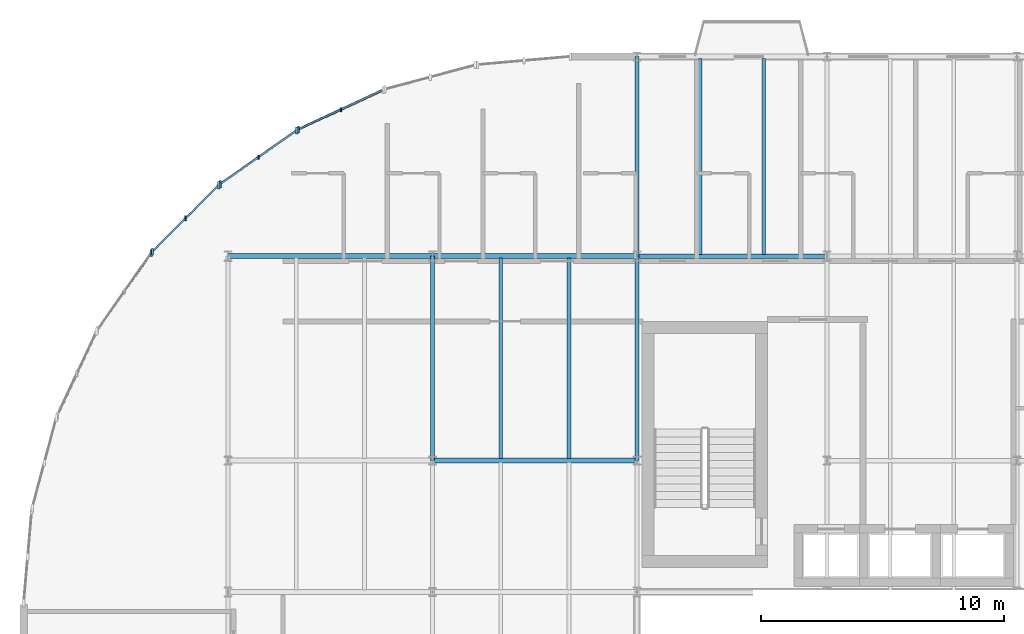
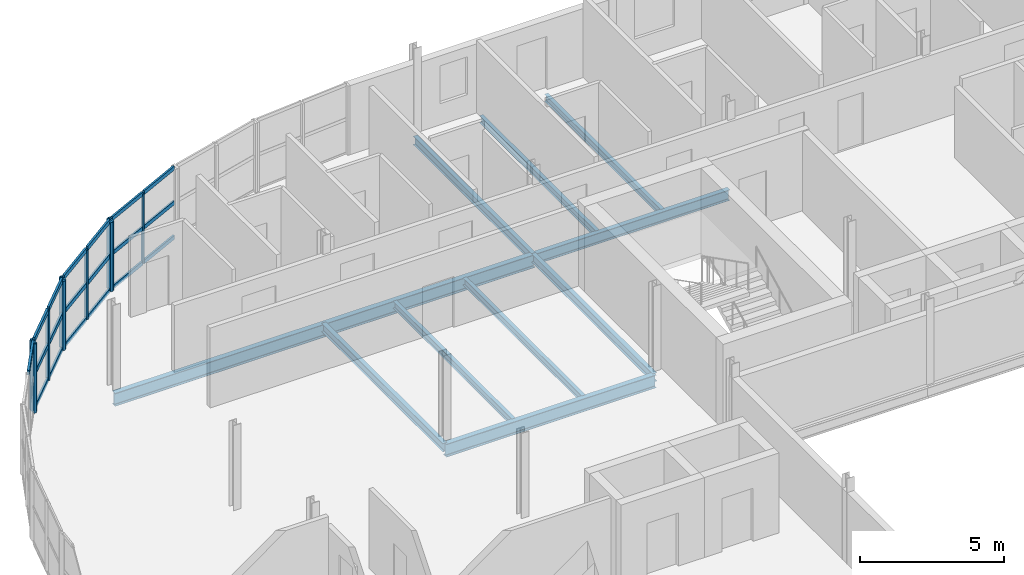
# One storey, part 7 of 25: 28 members, 11 beams, 4 elements without a shape of their own.
"""IFC4 building model written with IfcOpenShell, lengths in metres."""

from ifc_helpers import new_model, si_unit, direction, frame, origin, origin_2d, place, context, subcontext, project, spatial, rectangle, i_section, extrude, material, layer, layer_set, material_profile, profile_set, type_object, element, aggregate, save


model = new_model("IFC4")

# Units and contexts
model_context = context("Model", 3, precision=1e-05, world=origin(), true_north=direction((0.0, 1.0)))
body_context = subcontext(model_context, "Body", "Model", "MODEL_VIEW")
ifc_project = project(units=[si_unit("LENGTHUNIT", "METRE"), si_unit("AREAUNIT", "SQUARE_METRE"), si_unit("VOLUMEUNIT", "CUBIC_METRE"), si_unit("PLANEANGLEUNIT", "RADIAN"), si_unit("MASSUNIT", "GRAM", prefix="KILO")], contexts=[model_context])

# Site, building, storey
site_placement = place(None, origin())
site = spatial("IfcSite", under=ifc_project, at=site_placement, CompositionType="ELEMENT")
building_placement = place(site_placement, origin())
building = spatial("IfcBuilding", under=site, at=building_placement, Name="Sefraquen Railside Congress Hotel", CompositionType="ELEMENT")
storey_placement = place(building_placement, frame((0.0, 0.0, 39.0)))
storey = spatial("IfcBuildingStorey", under=building, at=storey_placement, Name="L09", CompositionType="ELEMENT", Elevation=39.0)

# Beams
ifc_material_1 = material(Name="Steel S355JR", Category="steel")
ifc_material_profile_1 = material_profile(ifc_material_1, i_section(OverallWidth=0.169921875, OverallDepth=0.360107421875, WebThickness=0.008056640625, FlangeThickness=0.0126953125, FilletRadius=0.01806640625, at=origin_2d()), Name="IPE 360")
ifc_profile_set_1 = profile_set([ifc_material_profile_1], Name="Steel S355JR")
beam_type_1 = type_object("IfcBeamType", Name="TB-BM-360", PredefinedType="BEAM", material=ifc_profile_set_1)
for number, where, z_axis, x_axis, name in (
    (1, (16.800048828125, 101.39990234375, -0.39990234375), (0.0, 1.0, 0.0), (-1.0, 0.0, 0.0), "Floor beam BM-L09-2014"),
    (2, (25.199951171875, 101.39990234375, -0.39990234375), (0.0, 1.0, 0.0), (-1.0, 0.0, 0.0), "Floor beam BM-L09-2020"),
):
    element("IfcBeam", number, at=place(storey_placement, frame(where, z_axis=z_axis, x_axis=x_axis)), inside=storey, type_object=beam_type_1, Name=name, PredefinedType="BEAM", context=body_context, shape_type="SweptSolid", body=[
        extrude(i_section(OverallWidth=0.169921875, OverallDepth=0.360107421875, WebThickness=0.008056640625, FlangeThickness=0.0126953125, FilletRadius=0.01806640625, at=origin_2d()), origin(), (0.0, 0.0, 1.0), 8.400146484375),
    ])
beam_1_placement = place(storey_placement, frame((25.199951171875, 109.800048828125, -0.39990234375), z_axis=(0.0, 1.0, 0.0), x_axis=(-1.0, 0.0, 0.0)))
element("IfcBeam", 3, at=beam_1_placement, inside=storey, type_object=beam_type_1, Name="Floor beam BM-L09-2021", PredefinedType="BEAM", context=body_context, shape_type="SweptSolid", body=[
    extrude(i_section(OverallWidth=0.169921875, OverallDepth=0.360107421875, WebThickness=0.008056640625, FlangeThickness=0.0126953125, FilletRadius=0.01806640625, at=origin_2d()), origin(), (0.0, 0.0, 1.0), 8.199951171875),
])
ifc_material_profile_2 = material_profile(ifc_material_1, i_section(OverallWidth=0.18994140625, OverallDepth=0.449951171875, WebThickness=0.009521484375, FlangeThickness=0.0146484375, FilletRadius=0.02099609375, at=origin_2d()), Name="IPE 450")
ifc_profile_set_2 = profile_set([ifc_material_profile_2], Name="Steel S355JR")
beam_type_2 = type_object("IfcBeamType", Name="TB-BM-450", PredefinedType="BEAM", material=ifc_profile_set_2)
beam_2_placement = place(storey_placement, frame((25.199951171875, 109.800048828125, -0.445068359375), z_axis=(1.0, 0.0, 0.0), x_axis=(0.0, 1.0, 0.0)))
element("IfcBeam", 4, at=beam_2_placement, inside=storey, type_object=beam_type_2, Name="Primary girder BM-L09-1982", PredefinedType="BEAM", context=body_context, shape_type="SweptSolid", body=[
    extrude(i_section(OverallWidth=0.18994140625, OverallDepth=0.449951171875, WebThickness=0.009521484375, FlangeThickness=0.0146484375, FilletRadius=0.02099609375, at=origin_2d()), origin(), (0.0, 0.0, 1.0), 7.800048828125),
])
ifc_material_profile_3 = material_profile(ifc_material_1, i_section(OverallWidth=0.2099609375, OverallDepth=0.550048828125, WebThickness=0.010986328125, FlangeThickness=0.01708984375, FilletRadius=0.02392578125, at=origin_2d()), Name="IPE 550")
ifc_profile_set_3 = profile_set([ifc_material_profile_3], Name="Steel S355JR")
beam_type_3 = type_object("IfcBeamType", Name="TB-GIR-550", PredefinedType="T_BEAM", material=ifc_profile_set_3)
beam_3_placement = place(storey_placement, frame((16.800048828125, 101.39990234375, -0.4951171875), z_axis=(1.0, 0.0, 0.0), x_axis=(0.0, 1.0, 0.0)))
element("IfcBeam", 5, at=beam_3_placement, inside=storey, type_object=beam_type_3, Name="Primary girder BM-L09-1972", PredefinedType="T_BEAM", context=body_context, shape_type="SweptSolid", body=[
    extrude(i_section(OverallWidth=0.2099609375, OverallDepth=0.550048828125, WebThickness=0.010986328125, FlangeThickness=0.01708984375, FilletRadius=0.02392578125, at=origin_2d()), origin(), (0.0, 0.0, 1.0), 8.39990234375),
])
beam_4_placement = place(storey_placement, frame((8.39990234375, 109.800048828125, -0.4951171875), z_axis=(1.0, 0.0, 0.0), x_axis=(0.0, 1.0, 0.0)))
element("IfcBeam", 6, at=beam_4_placement, inside=storey, type_object=beam_type_3, Name="Primary girder BM-L09-1980", PredefinedType="T_BEAM", context=body_context, shape_type="SweptSolid", body=[
    extrude(i_section(OverallWidth=0.2099609375, OverallDepth=0.550048828125, WebThickness=0.010986328125, FlangeThickness=0.01708984375, FilletRadius=0.02392578125, at=origin_2d()), origin(), (0.0, 0.0, 1.0), 8.400146484375),
])
beam_5_placement = place(storey_placement, frame((16.800048828125, 109.800048828125, -0.4951171875), z_axis=(1.0, 0.0, 0.0), x_axis=(0.0, 1.0, 0.0)))
element("IfcBeam", 7, at=beam_5_placement, inside=storey, type_object=beam_type_3, Name="Primary girder BM-L09-1981", PredefinedType="T_BEAM", context=body_context, shape_type="SweptSolid", body=[
    extrude(i_section(OverallWidth=0.2099609375, OverallDepth=0.550048828125, WebThickness=0.010986328125, FlangeThickness=0.01708984375, FilletRadius=0.02392578125, at=origin_2d()), origin(), (0.0, 0.0, 1.0), 8.39990234375),
])
ifc_material_profile_4 = material_profile(ifc_material_1, i_section(OverallWidth=0.14990234375, OverallDepth=0.300048828125, WebThickness=0.007080078125, FlangeThickness=0.0107421875, FilletRadius=0.014892578125, at=origin_2d()), Name="IPE 300")
ifc_profile_set_4 = profile_set([ifc_material_profile_4], Name="Steel S355JR")
beam_type_4 = type_object("IfcBeamType", Name="TB-JST-300", PredefinedType="JOIST", material=ifc_profile_set_4)
for number, where, z_axis, x_axis, name in (
    (8, (19.60009765625, 101.485107421875, -0.3701171875), (0.0, 1.0, 0.0), (-1.0, 0.0, 0.0), "Composite floor joist BM-L09-J1348"),
    (9, (22.39990234375, 101.485107421875, -0.3701171875), (0.0, 1.0, 0.0), (-1.0, 0.0, 0.0), "Composite floor joist BM-L09-J1349"),
):
    element("IfcBeam", number, at=place(storey_placement, frame(where, z_axis=z_axis, x_axis=x_axis)), inside=storey, type_object=beam_type_4, Name=name, PredefinedType="JOIST", context=body_context, shape_type="SweptSolid", body=[
        extrude(i_section(OverallWidth=0.14990234375, OverallDepth=0.300048828125, WebThickness=0.007080078125, FlangeThickness=0.0107421875, FilletRadius=0.014892578125, at=origin_2d()), origin(), (0.0, 0.0, 1.0), 8.22998046875),
    ])
for number, where, z_axis, x_axis, name in (
    (10, (27.800048828125, 109.875, -0.3701171875), (0.0, 1.0, 0.0), (-1.0, 0.0, 0.0), "Composite floor joist BM-L09-J1350"),
    (11, (30.39990234375, 109.875, -0.3701171875), (0.0, 1.0, 0.0), (-1.0, 0.0, 0.0), "Composite floor joist BM-L09-J1351"),
):
    element("IfcBeam", number, at=place(storey_placement, frame(where, z_axis=z_axis, x_axis=x_axis)), inside=storey, type_object=beam_type_4, Name=name, PredefinedType="JOIST", context=body_context, shape_type="SweptSolid", body=[
        extrude(i_section(OverallWidth=0.14990234375, OverallDepth=0.300048828125, WebThickness=0.007080078125, FlangeThickness=0.0107421875, FilletRadius=0.014892578125, at=origin_2d()), origin(), (0.0, 0.0, 1.0), 8.050048828125),
    ])

# Curtain wall, member
ifc_material_2 = material(Name="Thermally broken anodised aluminium and low-E double glazing", Category="aluminium")
ifc_layer_1 = layer(ifc_material_2, 0.199951171875)
ifc_layer_set_1 = layer_set([ifc_layer_1], Name="Thermally broken anodised aluminium and low-E double glazing")
curtain_wall_type_1 = type_object("IfcCurtainWallType", Name="TCW-UCW-20", PredefinedType="USERDEFINED", material=ifc_layer_set_1)
curtain_wall_1_placement = place(storey_placement, origin())
curtain_wall_1 = element("IfcCurtainWall", 12, at=curtain_wall_1_placement, inside=storey, type_object=curtain_wall_type_1, Name="Rotunda L09 curved curtain wall facet 3", ObjectType="UNITISED CURTAIN WALL", PredefinedType="USERDEFINED")
ifc_material_3 = material(Name="Thermally broken anodised aluminium 6063-T6", Category="aluminium")
ifc_material_profile_5 = material_profile(ifc_material_3, rectangle(XDim=0.06005859375, YDim=0.159912109375, at=origin_2d()), Name="CWM 60x160")
ifc_profile_set_5 = profile_set([ifc_material_profile_5], Name="Thermally broken anodised aluminium 6063-T6")
member_type_1 = type_object("IfcMemberType", Name="TM-CWM-01", PredefinedType="MULLION", material=ifc_profile_set_5)
member_1_placement = place(storey_placement, frame((13.02734375, 115.814208984375, 0.0), z_axis=(0.0, 0.0, 1.0), x_axis=(1.0, 0.0, 0.0)))
member_1 = element("IfcMember", 13, at=member_1_placement, type_object=member_type_1, Name="CW-L09-ROT-03 mullion 2", PredefinedType="MULLION", context=body_context, shape_type="SweptSolid", body=[
    extrude(rectangle(XDim=0.06005859375, YDim=0.159912109375, at=origin_2d()), origin(), (0.0, 0.0, 1.0), 2.929931640625),
])

ifc_layer_2 = layer(ifc_material_2, 0.199951171875)
ifc_layer_set_2 = layer_set([ifc_layer_2], Name="Thermally broken anodised aluminium and low-E double glazing")
curtain_wall_type_2 = type_object("IfcCurtainWallType", Name="TCW-UCW-21", PredefinedType="USERDEFINED", material=ifc_layer_set_2)
curtain_wall_2_placement = place(storey_placement, origin())
curtain_wall_2 = element("IfcCurtainWall", 14, at=curtain_wall_2_placement, inside=storey, type_object=curtain_wall_type_2, Name="Rotunda L09 curved curtain wall facet 4", ObjectType="UNITISED CURTAIN WALL", PredefinedType="USERDEFINED")
ifc_material_profile_6 = material_profile(ifc_material_3, rectangle(XDim=0.06494140625, YDim=0.179931640625, at=origin_2d()), Name="CWM 65x180")
ifc_profile_set_6 = profile_set([ifc_material_profile_6], Name="Thermally broken anodised aluminium 6063-T6")
member_type_2 = type_object("IfcMemberType", Name="TM-CWM-02", PredefinedType="MULLION", material=ifc_profile_set_6)
member_2_placement = place(storey_placement, frame((9.643798828125, 113.86083984375, 0.0), z_axis=(0.0, 0.0, 1.0), x_axis=(1.0, 0.0, 0.0)))
member_2 = element("IfcMember", 15, at=member_2_placement, type_object=member_type_2, Name="CW-L09-ROT-04 mullion 2", PredefinedType="MULLION", context=body_context, shape_type="SweptSolid", body=[
    extrude(rectangle(XDim=0.06494140625, YDim=0.179931640625, at=origin_2d()), origin(), (0.0, 0.0, 1.0), 2.929931640625),
])

ifc_layer_3 = layer(ifc_material_2, 0.199951171875)
ifc_layer_set_3 = layer_set([ifc_layer_3], Name="Thermally broken anodised aluminium and low-E double glazing")
curtain_wall_type_3 = type_object("IfcCurtainWallType", Name="TCW-UCW-22", PredefinedType="USERDEFINED", material=ifc_layer_set_3)
curtain_wall_3_placement = place(storey_placement, origin())
curtain_wall_3 = element("IfcCurtainWall", 16, at=curtain_wall_3_placement, inside=storey, type_object=curtain_wall_type_3, Name="Rotunda L09 curved curtain wall facet 5", ObjectType="UNITISED CURTAIN WALL", PredefinedType="USERDEFINED")
ifc_material_profile_7 = material_profile(ifc_material_3, rectangle(XDim=0.070068359375, YDim=0.199951171875, at=origin_2d()), Name="CWM 70x200")
ifc_profile_set_7 = profile_set([ifc_material_profile_7], Name="Thermally broken anodised aluminium 6063-T6")
member_type_3 = type_object("IfcMemberType", Name="TM-CWM-03", PredefinedType="MULLION", material=ifc_profile_set_7)
member_3_placement = place(storey_placement, frame((6.650634765625, 111.349365234375, 0.0), z_axis=(0.0, 0.0, 1.0), x_axis=(1.0, 0.0, 0.0)))
member_3 = element("IfcMember", 17, at=member_3_placement, type_object=member_type_3, Name="CW-L09-ROT-05 mullion 2", PredefinedType="MULLION", context=body_context, shape_type="SweptSolid", body=[
    extrude(rectangle(XDim=0.070068359375, YDim=0.199951171875, at=origin_2d()), origin(), (0.0, 0.0, 1.0), 2.929931640625),
])

# Member
ifc_material_profile_8 = material_profile(ifc_material_3, rectangle(XDim=0.094970703125, YDim=0.300048828125, at=origin_2d()), Name="CWM 95x300")
ifc_profile_set_8 = profile_set([ifc_material_profile_8], Name="Thermally broken anodised aluminium 6063-T6")
member_type_4 = type_object("IfcMemberType", Name="TM-CWM-08", PredefinedType="MULLION", material=ifc_profile_set_8)
member_4_placement = place(storey_placement, frame((11.286376953125, 115.00244140625, 0.0), z_axis=(0.0, 0.0, 1.0), x_axis=(1.0, 0.0, 0.0)))
member_4 = element("IfcMember", 18, at=member_4_placement, type_object=member_type_4, Name="CW-L09-ROT-03 mullion 3", PredefinedType="MULLION", context=body_context, shape_type="SweptSolid", body=[
    extrude(rectangle(XDim=0.094970703125, YDim=0.300048828125, at=origin_2d()), origin(), (0.0, 0.0, 1.0), 2.929931640625),
])

member_5_placement = place(storey_placement, frame((11.21728515625, 114.962646484375, 0.0), z_axis=(0.0, 0.0, 1.0), x_axis=(1.0, 0.0, 0.0)))
member_5 = element("IfcMember", 19, at=member_5_placement, type_object=member_type_4, Name="CW-L09-ROT-04 mullion 1", PredefinedType="MULLION", context=body_context, shape_type="SweptSolid", body=[
    extrude(rectangle(XDim=0.094970703125, YDim=0.300048828125, at=origin_2d()), origin(), (0.0, 0.0, 1.0), 2.929931640625),
])

member_6_placement = place(storey_placement, frame((8.070068359375, 112.7587890625, 0.0), z_axis=(0.0, 0.0, 1.0), x_axis=(1.0, 0.0, 0.0)))
member_6 = element("IfcMember", 20, at=member_6_placement, type_object=member_type_4, Name="CW-L09-ROT-04 mullion 3", PredefinedType="MULLION", context=body_context, shape_type="SweptSolid", body=[
    extrude(rectangle(XDim=0.094970703125, YDim=0.300048828125, at=origin_2d()), origin(), (0.0, 0.0, 1.0), 2.929931640625),
])

member_7_placement = place(storey_placement, frame((8.009033203125, 112.707763671875, 0.0), z_axis=(0.0, 0.0, 1.0), x_axis=(1.0, 0.0, 0.0)))
member_7 = element("IfcMember", 21, at=member_7_placement, type_object=member_type_4, Name="CW-L09-ROT-05 mullion 1", PredefinedType="MULLION", context=body_context, shape_type="SweptSolid", body=[
    extrude(rectangle(XDim=0.094970703125, YDim=0.300048828125, at=origin_2d()), origin(), (0.0, 0.0, 1.0), 2.929931640625),
])

member_8_placement = place(storey_placement, frame((5.292236328125, 109.990966796875, 0.0), z_axis=(0.0, 0.0, 1.0), x_axis=(1.0, 0.0, 0.0)))
member_8 = element("IfcMember", 22, at=member_8_placement, type_object=member_type_4, Name="CW-L09-ROT-05 mullion 3", PredefinedType="MULLION", context=body_context, shape_type="SweptSolid", body=[
    extrude(rectangle(XDim=0.094970703125, YDim=0.300048828125, at=origin_2d()), origin(), (0.0, 0.0, 1.0), 2.929931640625),
])

# Curtain wall, member
ifc_layer_4 = layer(ifc_material_2, 0.199951171875)
ifc_layer_set_4 = layer_set([ifc_layer_4], Name="Thermally broken anodised aluminium and low-E double glazing")
curtain_wall_type_4 = type_object("IfcCurtainWallType", Name="TCW-UCW-23", PredefinedType="USERDEFINED", material=ifc_layer_set_4)
curtain_wall_4_placement = place(storey_placement, origin())
curtain_wall_4 = element("IfcCurtainWall", 23, at=curtain_wall_4_placement, inside=storey, type_object=curtain_wall_type_4, Name="Rotunda L09 curved curtain wall facet 6", ObjectType="UNITISED CURTAIN WALL", PredefinedType="USERDEFINED")
member_9_placement = place(storey_placement, frame((5.2412109375, 109.929931640625, 0.0), z_axis=(0.0, 0.0, 1.0), x_axis=(1.0, 0.0, 0.0)))
member_9 = element("IfcMember", 24, at=member_9_placement, type_object=member_type_4, Name="CW-L09-ROT-06 mullion 1", PredefinedType="MULLION", context=body_context, shape_type="SweptSolid", body=[
    extrude(rectangle(XDim=0.094970703125, YDim=0.300048828125, at=origin_2d()), origin(), (0.0, 0.0, 1.0), 2.929931640625),
])

# Member
ifc_material_profile_9 = material_profile(ifc_material_3, rectangle(XDim=0.074951171875, YDim=0.1650390625, at=origin_2d()), Name="CWT 75x165")
ifc_profile_set_9 = profile_set([ifc_material_profile_9], Name="Thermally broken anodised aluminium 6063-T6")
member_type_5 = type_object("IfcMemberType", Name="TM-CWT-04", PredefinedType="USERDEFINED", material=ifc_profile_set_9)
member_10_placement = place(storey_placement, frame((14.727294921875, 116.607177734375, 0.0), z_axis=(-0.906309158253, -0.422615321145, 0.0), x_axis=(0.422615321145, -0.906309158253, 0.0)))
member_10 = element("IfcMember", 25, at=member_10_placement, type_object=member_type_5, Name="CW-L09-ROT-03 transom 1.1", ObjectType="TRANSOM", PredefinedType="USERDEFINED", context=body_context, shape_type="SweptSolid", body=[
    extrude(rectangle(XDim=0.074951171875, YDim=0.1650390625, at=origin_2d()), origin(), (0.0, 0.0, 1.0), 1.830810546875),
])

member_11_placement = place(storey_placement, frame((12.986572265625, 115.79541015625, 0.0), z_axis=(-0.906281900386, -0.422673771403, 0.0), x_axis=(0.422673771403, -0.906281900386, 0.0)))
member_11 = element("IfcMember", 26, at=member_11_placement, type_object=member_type_5, Name="CW-L09-ROT-03 transom 1.2", ObjectType="TRANSOM", PredefinedType="USERDEFINED", context=body_context, shape_type="SweptSolid", body=[
    extrude(rectangle(XDim=0.074951171875, YDim=0.1650390625, at=origin_2d()), origin(), (0.0, 0.0, 1.0), 1.8310546875),
])

member_12_placement = place(storey_placement, frame((14.727294921875, 116.607177734375, 1.465087890625), z_axis=(-0.906309158253, -0.422615321145, 0.0), x_axis=(0.422615321145, -0.906309158253, 0.0)))
member_12 = element("IfcMember", 27, at=member_12_placement, type_object=member_type_5, Name="CW-L09-ROT-03 transom 2.1", ObjectType="TRANSOM", PredefinedType="USERDEFINED", context=body_context, shape_type="SweptSolid", body=[
    extrude(rectangle(XDim=0.074951171875, YDim=0.1650390625, at=origin_2d()), origin(), (0.0, 0.0, 1.0), 1.830810546875),
])

member_13_placement = place(storey_placement, frame((12.986572265625, 115.79541015625, 1.465087890625), z_axis=(-0.906281900386, -0.422673771403, 0.0), x_axis=(0.422673771403, -0.906281900386, 0.0)))
member_13 = element("IfcMember", 28, at=member_13_placement, type_object=member_type_5, Name="CW-L09-ROT-03 transom 2.2", ObjectType="TRANSOM", PredefinedType="USERDEFINED", context=body_context, shape_type="SweptSolid", body=[
    extrude(rectangle(XDim=0.074951171875, YDim=0.1650390625, at=origin_2d()), origin(), (0.0, 0.0, 1.0), 1.8310546875),
])

member_14_placement = place(storey_placement, frame((14.727294921875, 116.607177734375, 2.929931640625), z_axis=(-0.906309158253, -0.422615321145, 0.0), x_axis=(0.422615321145, -0.906309158253, 0.0)))
member_14 = element("IfcMember", 29, at=member_14_placement, type_object=member_type_5, Name="CW-L09-ROT-03 transom 3.1", ObjectType="TRANSOM", PredefinedType="USERDEFINED", context=body_context, shape_type="SweptSolid", body=[
    extrude(rectangle(XDim=0.074951171875, YDim=0.1650390625, at=origin_2d()), origin(), (0.0, 0.0, 1.0), 1.830810546875),
])

member_15_placement = place(storey_placement, frame((12.986572265625, 115.79541015625, 2.929931640625), z_axis=(-0.906281900386, -0.422673771403, 0.0), x_axis=(0.422673771403, -0.906281900386, 0.0)))
member_15 = element("IfcMember", 30, at=member_15_placement, type_object=member_type_5, Name="CW-L09-ROT-03 transom 3.2", ObjectType="TRANSOM", PredefinedType="USERDEFINED", context=body_context, shape_type="SweptSolid", body=[
    extrude(rectangle(XDim=0.074951171875, YDim=0.1650390625, at=origin_2d()), origin(), (0.0, 0.0, 1.0), 1.8310546875),
])

aggregate(curtain_wall_1, [member_1, member_4, member_10, member_11, member_12, member_13, member_14, member_15])

ifc_material_profile_10 = material_profile(ifc_material_3, rectangle(XDim=0.080078125, YDim=0.179931640625, at=origin_2d()), Name="CWT 80x180")
ifc_profile_set_10 = profile_set([ifc_material_profile_10], Name="Thermally broken anodised aluminium 6063-T6")
member_type_6 = type_object("IfcMemberType", Name="TM-CWT-05", PredefinedType="USERDEFINED", material=ifc_profile_set_10)
member_16_placement = place(storey_placement, frame((11.180419921875, 114.93701171875, 0.0), z_axis=(-0.819156749665, -0.573569716318, 0.0), x_axis=(0.573569716318, -0.819156749665, 0.0)))
member_16 = element("IfcMember", 31, at=member_16_placement, type_object=member_type_6, Name="CW-L09-ROT-04 transom 1.1", ObjectType="TRANSOM", PredefinedType="USERDEFINED", context=body_context, shape_type="SweptSolid", body=[
    extrude(rectangle(XDim=0.080078125, YDim=0.179931640625, at=origin_2d()), origin(), (0.0, 0.0, 1.0), 1.8310546875),
])

member_17_placement = place(storey_placement, frame((9.606689453125, 113.8349609375, 0.0), z_axis=(-0.819175533227, -0.573542889209, 0.0), x_axis=(0.573542889209, -0.819175533227, 0.0)))
member_17 = element("IfcMember", 32, at=member_17_placement, type_object=member_type_6, Name="CW-L09-ROT-04 transom 1.2", ObjectType="TRANSOM", PredefinedType="USERDEFINED", context=body_context, shape_type="SweptSolid", body=[
    extrude(rectangle(XDim=0.080078125, YDim=0.179931640625, at=origin_2d()), origin(), (0.0, 0.0, 1.0), 1.830810546875),
])

member_18_placement = place(storey_placement, frame((11.180419921875, 114.93701171875, 1.465087890625), z_axis=(-0.819156749665, -0.573569716318, 0.0), x_axis=(0.573569716318, -0.819156749665, 0.0)))
member_18 = element("IfcMember", 33, at=member_18_placement, type_object=member_type_6, Name="CW-L09-ROT-04 transom 2.1", ObjectType="TRANSOM", PredefinedType="USERDEFINED", context=body_context, shape_type="SweptSolid", body=[
    extrude(rectangle(XDim=0.080078125, YDim=0.179931640625, at=origin_2d()), origin(), (0.0, 0.0, 1.0), 1.8310546875),
])

member_19_placement = place(storey_placement, frame((9.606689453125, 113.8349609375, 1.465087890625), z_axis=(-0.819175533227, -0.573542889209, 0.0), x_axis=(0.573542889209, -0.819175533227, 0.0)))
member_19 = element("IfcMember", 34, at=member_19_placement, type_object=member_type_6, Name="CW-L09-ROT-04 transom 2.2", ObjectType="TRANSOM", PredefinedType="USERDEFINED", context=body_context, shape_type="SweptSolid", body=[
    extrude(rectangle(XDim=0.080078125, YDim=0.179931640625, at=origin_2d()), origin(), (0.0, 0.0, 1.0), 1.830810546875),
])

member_20_placement = place(storey_placement, frame((11.180419921875, 114.93701171875, 2.929931640625), z_axis=(-0.819156749665, -0.573569716318, 0.0), x_axis=(0.573569716318, -0.819156749665, 0.0)))
member_20 = element("IfcMember", 35, at=member_20_placement, type_object=member_type_6, Name="CW-L09-ROT-04 transom 3.1", ObjectType="TRANSOM", PredefinedType="USERDEFINED", context=body_context, shape_type="SweptSolid", body=[
    extrude(rectangle(XDim=0.080078125, YDim=0.179931640625, at=origin_2d()), origin(), (0.0, 0.0, 1.0), 1.8310546875),
])

member_21_placement = place(storey_placement, frame((9.606689453125, 113.8349609375, 2.929931640625), z_axis=(-0.819175533227, -0.573542889209, 0.0), x_axis=(0.573542889209, -0.819175533227, 0.0)))
member_21 = element("IfcMember", 36, at=member_21_placement, type_object=member_type_6, Name="CW-L09-ROT-04 transom 3.2", ObjectType="TRANSOM", PredefinedType="USERDEFINED", context=body_context, shape_type="SweptSolid", body=[
    extrude(rectangle(XDim=0.080078125, YDim=0.179931640625, at=origin_2d()), origin(), (0.0, 0.0, 1.0), 1.830810546875),
])

aggregate(curtain_wall_2, [member_5, member_2, member_6, member_16, member_17, member_18, member_19, member_20, member_21])

ifc_material_profile_11 = material_profile(ifc_material_3, rectangle(XDim=0.0849609375, YDim=0.195068359375, at=origin_2d()), Name="CWT 85x195")
ifc_profile_set_11 = profile_set([ifc_material_profile_11], Name="Thermally broken anodised aluminium 6063-T6")
member_type_7 = type_object("IfcMemberType", Name="TM-CWT-06", PredefinedType="USERDEFINED", material=ifc_profile_set_11)
member_22_placement = place(storey_placement, frame((7.977294921875, 112.67578125, 0.0), z_axis=(-0.707106781187, -0.707106781187, 0.0), x_axis=(0.707106781187, -0.707106781187, 0.0)))
member_22 = element("IfcMember", 37, at=member_22_placement, type_object=member_type_7, Name="CW-L09-ROT-05 transom 1.1", ObjectType="TRANSOM", PredefinedType="USERDEFINED", context=body_context, shape_type="SweptSolid", body=[
    extrude(rectangle(XDim=0.0849609375, YDim=0.195068359375, at=origin_2d()), origin(), (0.0, 0.0, 1.0), 1.8310546875),
])

member_23_placement = place(storey_placement, frame((6.618896484375, 111.3173828125, 0.0), z_axis=(-0.707106781187, -0.707106781187, 0.0), x_axis=(0.707106781187, -0.707106781187, 0.0)))
member_23 = element("IfcMember", 38, at=member_23_placement, type_object=member_type_7, Name="CW-L09-ROT-05 transom 1.2", ObjectType="TRANSOM", PredefinedType="USERDEFINED", context=body_context, shape_type="SweptSolid", body=[
    extrude(rectangle(XDim=0.0849609375, YDim=0.195068359375, at=origin_2d()), origin(), (0.0, 0.0, 1.0), 1.8310546875),
])

member_24_placement = place(storey_placement, frame((7.977294921875, 112.67578125, 1.465087890625), z_axis=(-0.707106781187, -0.707106781187, 0.0), x_axis=(0.707106781187, -0.707106781187, 0.0)))
member_24 = element("IfcMember", 39, at=member_24_placement, type_object=member_type_7, Name="CW-L09-ROT-05 transom 2.1", ObjectType="TRANSOM", PredefinedType="USERDEFINED", context=body_context, shape_type="SweptSolid", body=[
    extrude(rectangle(XDim=0.0849609375, YDim=0.195068359375, at=origin_2d()), origin(), (0.0, 0.0, 1.0), 1.8310546875),
])

member_25_placement = place(storey_placement, frame((6.618896484375, 111.3173828125, 1.465087890625), z_axis=(-0.707106781187, -0.707106781187, 0.0), x_axis=(0.707106781187, -0.707106781187, 0.0)))
member_25 = element("IfcMember", 40, at=member_25_placement, type_object=member_type_7, Name="CW-L09-ROT-05 transom 2.2", ObjectType="TRANSOM", PredefinedType="USERDEFINED", context=body_context, shape_type="SweptSolid", body=[
    extrude(rectangle(XDim=0.0849609375, YDim=0.195068359375, at=origin_2d()), origin(), (0.0, 0.0, 1.0), 1.8310546875),
])

member_26_placement = place(storey_placement, frame((7.977294921875, 112.67578125, 2.929931640625), z_axis=(-0.707106781187, -0.707106781187, 0.0), x_axis=(0.707106781187, -0.707106781187, 0.0)))
member_26 = element("IfcMember", 41, at=member_26_placement, type_object=member_type_7, Name="CW-L09-ROT-05 transom 3.1", ObjectType="TRANSOM", PredefinedType="USERDEFINED", context=body_context, shape_type="SweptSolid", body=[
    extrude(rectangle(XDim=0.0849609375, YDim=0.195068359375, at=origin_2d()), origin(), (0.0, 0.0, 1.0), 1.8310546875),
])

member_27_placement = place(storey_placement, frame((6.618896484375, 111.3173828125, 2.929931640625), z_axis=(-0.707106781187, -0.707106781187, 0.0), x_axis=(0.707106781187, -0.707106781187, 0.0)))
member_27 = element("IfcMember", 42, at=member_27_placement, type_object=member_type_7, Name="CW-L09-ROT-05 transom 3.2", ObjectType="TRANSOM", PredefinedType="USERDEFINED", context=body_context, shape_type="SweptSolid", body=[
    extrude(rectangle(XDim=0.0849609375, YDim=0.195068359375, at=origin_2d()), origin(), (0.0, 0.0, 1.0), 1.8310546875),
])

aggregate(curtain_wall_3, [member_7, member_3, member_8, member_22, member_23, member_24, member_25, member_26, member_27])

ifc_material_profile_12 = material_profile(ifc_material_3, rectangle(XDim=0.090087890625, YDim=0.2099609375, at=origin_2d()), Name="CWT 90x210")
ifc_profile_set_12 = profile_set([ifc_material_profile_12], Name="Thermally broken anodised aluminium 6063-T6")
member_type_8 = type_object("IfcMemberType", Name="TM-CWT-07", PredefinedType="USERDEFINED", material=ifc_profile_set_12)
member_28_placement = place(storey_placement, frame((5.21533203125, 109.89306640625, 2.929931640625), z_axis=(-0.573632363976, -0.819112880499, 0.0), x_axis=(0.819112880499, -0.573632363976, 0.0)))
member_28 = element("IfcMember", 43, at=member_28_placement, type_object=member_type_8, Name="CW-L09-ROT-06 transom 3.1", ObjectType="TRANSOM", PredefinedType="USERDEFINED", context=body_context, shape_type="SweptSolid", body=[
    extrude(rectangle(XDim=0.090087890625, YDim=0.2099609375, at=origin_2d()), origin(), (0.0, 0.0, 1.0), 1.8310546875),
])

aggregate(curtain_wall_4, [member_9, member_28])

save(model, "model.ifc")
